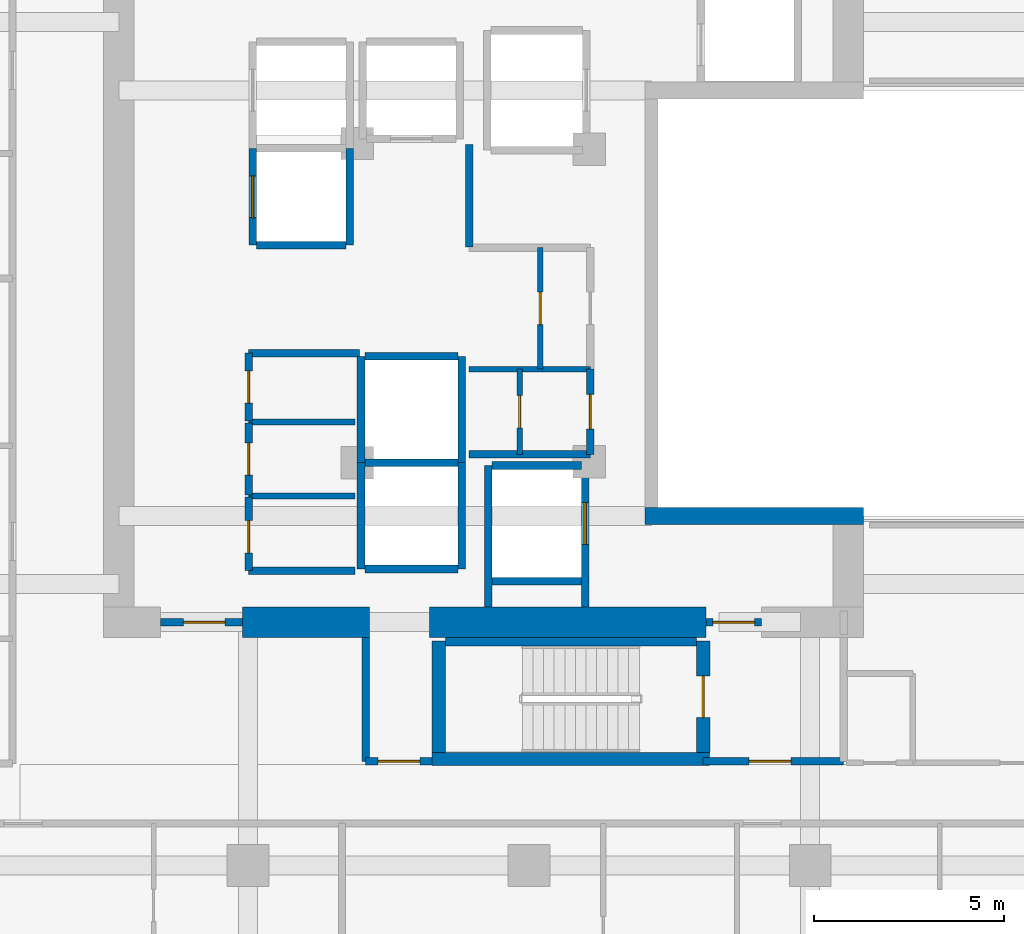
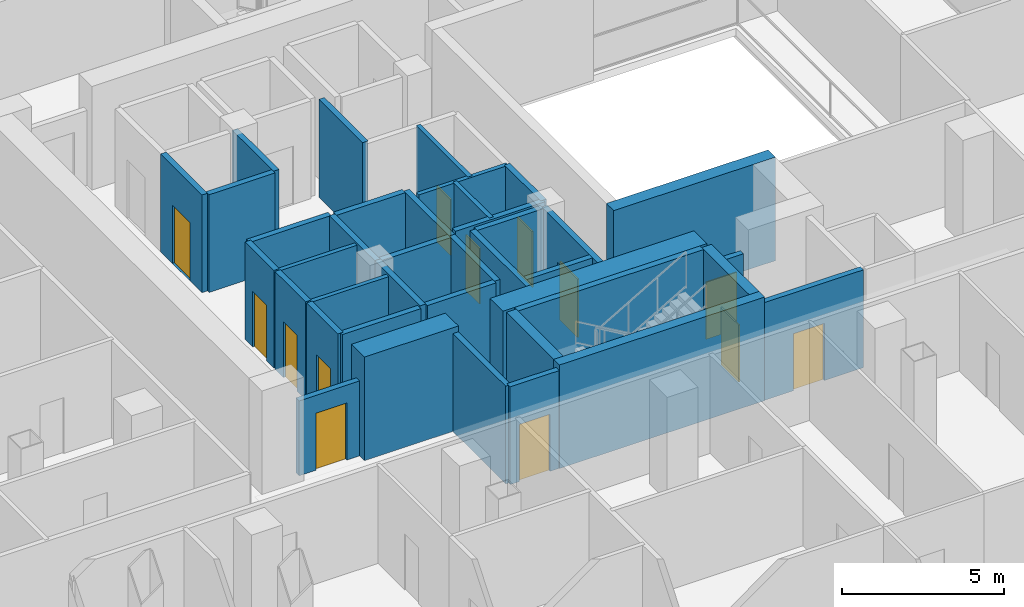
# One storey, part 18 of 24: 39 walls, 13 doors, 13 openings.
"""IFC4 building model written with IfcOpenShell, lengths in metres."""

from ifc_helpers import new_model, si_unit, direction, frame, frame_2d, origin, place, context, subcontext, project, spatial, rectangle, extrude, material, layer, layer_set, type_object, element, fill, save


model = new_model("IFC4")

# Units and contexts
model_context = context("Model", 3, precision=1e-05, world=origin(), true_north=direction((0.0, 1.0)))
body_context = subcontext(model_context, "Body", "Model", "MODEL_VIEW")
ifc_project = project(units=[si_unit("LENGTHUNIT", "METRE"), si_unit("AREAUNIT", "SQUARE_METRE"), si_unit("VOLUMEUNIT", "CUBIC_METRE"), si_unit("PLANEANGLEUNIT", "RADIAN"), si_unit("MASSUNIT", "GRAM", prefix="KILO")], contexts=[model_context])

# Site, building, storey
site_placement = place(None, origin())
site = spatial("IfcSite", under=ifc_project, at=site_placement, CompositionType="ELEMENT")
building_placement = place(site_placement, origin())
building = spatial("IfcBuilding", under=site, at=building_placement, Name="Khorvyn Point Tower", CompositionType="ELEMENT")
storey_placement = place(building_placement, frame((0.0, 0.0, 191.39990234375)))
storey = spatial("IfcBuildingStorey", under=building, at=storey_placement, Name="L47", CompositionType="ELEMENT", Elevation=191.39990234375)

# Wall
ifc_material_1 = material(Name="Concrete C40/50", Category="concrete")
ifc_layer_1 = layer(ifc_material_1, 0.449951171875)
ifc_layer_set_1 = layer_set([ifc_layer_1], Name="Concrete C40/50 Core Shear Wall 450")
wall_type_1 = type_object("IfcWallType", Name="Concrete C40/50 Core Shear Wall 450", PredefinedType="SHEAR", material=ifc_layer_set_1)
wall_1_placement = place(storey_placement, frame((3.044921875, -5.60009765625, 0.0), z_axis=(0.0, 0.0, 1.0), x_axis=(1.0, 0.0, 0.0)))
element("IfcWall", 1, at=wall_1_placement, inside=storey, type_object=wall_type_1, Name="Wall", PredefinedType="SHEAR", context=body_context, shape_type="SweptSolid", body=[
    extrude(rectangle(XDim=5.755126953125, YDim=0.449951171875, at=frame_2d((2.87744140625, 0.0))), origin(), (0.0, 0.0, 1.0), 3.900146484375),
])

# Wall, opening, door
ifc_layer_2 = layer(ifc_material_1, 0.199951171875)
ifc_layer_set_2 = layer_set([ifc_layer_2], Name="Concrete C40/50 Fire-Lobby Compartment Wall 200")
wall_type_2 = type_object("IfcWallType", Name="Concrete C40/50 Fire-Lobby Compartment Wall 200", PredefinedType="SOLIDWALL", material=ifc_layer_set_2)
wall_2_placement = place(storey_placement, frame((4.580078125, -12.06005859375, 0.0), z_axis=(0.0, 0.0, 1.0), x_axis=(1.0, 0.0, 0.0)))
wall_2 = element("IfcWall", 2, at=wall_2_placement, inside=storey, type_object=wall_type_2, Name="Wall", PredefinedType="SOLIDWALL", context=body_context, shape_type="SweptSolid", body=[
    extrude(rectangle(XDim=3.699951171875, YDim=0.199951171875, at=frame_2d((1.85009765625, 0.0))), origin(), (0.0, 0.0, 1.0), 3.68017578125),
])
opening_1_placement = place(wall_2_placement, frame((1.21240234375, 0.0, 0.0)))
opening_1 = element("IfcOpeningElement", 3, at=opening_1_placement, cuts=wall_2, Name="Opening ID-FL90", PredefinedType="OPENING", context=body_context, shape_type="SweptSolid", body=[
    extrude(rectangle(XDim=1.10009765625, YDim=2.14990234375, at=frame_2d((0.550048828125, 1.074951171875))), frame((0.0, 0.10986328125, 0.0), z_axis=(0.0, -1.0, 0.0), x_axis=(1.0, 0.0, 0.0)), (0.0, 0.0, 1.0), 0.219970703125),
])
ifc_material_2 = material(Name="Galvanised powder-coated steel", Category="steel")
door_type_1 = type_object("IfcDoorType", Name="Fire-Rated Steel Lobby and Stair Door 1100x2150", OperationType="NOTDEFINED", PredefinedType="DOOR", material=ifc_material_2)
door_1_placement = place(opening_1_placement, origin())
door_1 = element("IfcDoor", 4, at=door_1_placement, inside=storey, type_object=door_type_1, Name="Door", OperationType="SINGLE_SWING_LEFT", OverallHeight=2.14990234375, OverallWidth=1.10009765625, PredefinedType="DOOR", context=body_context, shape_type="SweptSolid", body=[
    extrude(rectangle(XDim=1.10009765625, YDim=2.14990234375, at=frame_2d((0.550048828125, 1.074951171875))), frame((0.0, 0.02490234375, 0.0), z_axis=(0.0, -1.0, 0.0), x_axis=(1.0, 0.0, 0.0)), (0.0, 0.0, 1.0), 0.050048828125),
])
fill(opening_1, door_1)

wall_3_placement = place(storey_placement, frame((4.64990234375, -8.39990234375, 0.0), z_axis=(0.0, 0.0, 1.0), x_axis=(1.0, 0.0, 0.0)))
wall_3 = element("IfcWall", 5, at=wall_3_placement, inside=storey, type_object=wall_type_2, Name="Wall", PredefinedType="SOLIDWALL", context=body_context, shape_type="SweptSolid", body=[
    extrude(rectangle(XDim=1.47021484375, YDim=0.199951171875, at=frame_2d((0.735107421875, 0.0))), origin(), (0.0, 0.0, 1.0), 2.820068359375),
])
opening_2_placement = place(wall_3_placement, frame((0.18505859375, 0.0, 0.0)))
opening_2 = element("IfcOpeningElement", 6, at=opening_2_placement, cuts=wall_3, Name="Opening ID-FL90", PredefinedType="OPENING", context=body_context, shape_type="SweptSolid", body=[
    extrude(rectangle(XDim=1.10009765625, YDim=2.14990234375, at=frame_2d((0.550048828125, 1.074951171875))), frame((0.0, 0.10986328125, 0.0), z_axis=(0.0, -1.0, 0.0), x_axis=(1.0, 0.0, 0.0)), (0.0, 0.0, 1.0), 0.219970703125),
])
door_2_placement = place(opening_2_placement, origin())
door_2 = element("IfcDoor", 7, at=door_2_placement, inside=storey, type_object=door_type_1, Name="Door", OperationType="SINGLE_SWING_RIGHT", OverallHeight=2.14990234375, OverallWidth=1.10009765625, PredefinedType="DOOR", context=body_context, shape_type="SweptSolid", body=[
    extrude(rectangle(XDim=1.10009765625, YDim=2.14990234375, at=frame_2d((0.550048828125, 1.074951171875))), frame((0.0, 0.02490234375, 0.0), z_axis=(0.0, -1.0, 0.0), x_axis=(1.0, 0.0, 0.0)), (0.0, 0.0, 1.0), 0.050048828125),
])
fill(opening_2, door_2)

wall_4_placement = place(storey_placement, frame((-9.699951171875, -8.39990234375, 0.0), z_axis=(0.0, 0.0, 1.0), x_axis=(1.0, 0.0, 0.0)))
wall_4 = element("IfcWall", 8, at=wall_4_placement, inside=storey, type_object=wall_type_2, Name="Wall", PredefinedType="SOLIDWALL", context=body_context, shape_type="SweptSolid", body=[
    extrude(rectangle(XDim=2.14990234375, YDim=0.199951171875, at=frame_2d((1.074951171875, 0.0))), origin(), (0.0, 0.0, 1.0), 2.820068359375),
])
opening_3_placement = place(wall_4_placement, frame((0.597900390625, 0.0, 0.0)))
opening_3 = element("IfcOpeningElement", 9, at=opening_3_placement, cuts=wall_4, Name="Opening ID-FL90", PredefinedType="OPENING", context=body_context, shape_type="SweptSolid", body=[
    extrude(rectangle(XDim=1.10009765625, YDim=2.14990234375, at=frame_2d((0.550048828125, 1.074951171875))), frame((0.0, 0.10986328125, 0.0), z_axis=(0.0, -1.0, 0.0), x_axis=(1.0, 0.0, 0.0)), (0.0, 0.0, 1.0), 0.219970703125),
])
door_3_placement = place(opening_3_placement, origin())
door_3 = element("IfcDoor", 10, at=door_3_placement, inside=storey, type_object=door_type_1, Name="Door", OperationType="SINGLE_SWING_RIGHT", OverallHeight=2.14990234375, OverallWidth=1.10009765625, PredefinedType="DOOR", context=body_context, shape_type="SweptSolid", body=[
    extrude(rectangle(XDim=1.10009765625, YDim=2.14990234375, at=frame_2d((0.550048828125, 1.074951171875))), frame((0.0, 0.02490234375, 0.0), z_axis=(0.0, -1.0, 0.0), x_axis=(1.0, 0.0, 0.0)), (0.0, 0.0, 1.0), 0.050048828125),
])
fill(opening_3, door_3)

wall_5_placement = place(storey_placement, frame((-4.300048828125, -12.06005859375, 0.0), z_axis=(0.0, 0.0, 1.0), x_axis=(1.0, 0.0, 0.0)))
wall_5 = element("IfcWall", 11, at=wall_5_placement, inside=storey, type_object=wall_type_2, Name="Wall", PredefinedType="SOLIDWALL", context=body_context, shape_type="SweptSolid", body=[
    extrude(rectangle(XDim=1.75, YDim=0.199951171875, at=frame_2d((0.875, 0.0))), origin(), (0.0, 0.0, 1.0), 3.68017578125),
])
opening_4_placement = place(wall_5_placement, frame((0.324951171875, 0.0, 0.0)))
opening_4 = element("IfcOpeningElement", 12, at=opening_4_placement, cuts=wall_5, Name="Opening ID-FL90", PredefinedType="OPENING", context=body_context, shape_type="SweptSolid", body=[
    extrude(rectangle(XDim=1.10009765625, YDim=2.14990234375, at=frame_2d((0.550048828125, 1.074951171875))), frame((0.0, 0.10986328125, 0.0), z_axis=(0.0, -1.0, 0.0), x_axis=(1.0, 0.0, 0.0)), (0.0, 0.0, 1.0), 0.219970703125),
])
door_4_placement = place(opening_4_placement, origin())
door_4 = element("IfcDoor", 13, at=door_4_placement, inside=storey, type_object=door_type_1, Name="Door", OperationType="SINGLE_SWING_RIGHT", OverallHeight=2.14990234375, OverallWidth=1.10009765625, PredefinedType="DOOR", context=body_context, shape_type="SweptSolid", body=[
    extrude(rectangle(XDim=1.10009765625, YDim=2.14990234375, at=frame_2d((0.550048828125, 1.074951171875))), frame((0.0, 0.02490234375, 0.0), z_axis=(0.0, -1.0, 0.0), x_axis=(1.0, 0.0, 0.0)), (0.0, 0.0, 1.0), 0.050048828125),
])
fill(opening_4, door_4)

wall_6_placement = place(storey_placement, frame((1.610107421875, -3.97998046875, 0.0), z_axis=(0.0, 0.0, 1.0), x_axis=(0.0, 1.0, 0.0)))
wall_6 = element("IfcWall", 14, at=wall_6_placement, inside=storey, type_object=wall_type_2, Name="Wall", PredefinedType="SOLIDWALL", context=body_context, shape_type="SweptSolid", body=[
    extrude(rectangle(XDim=2.240966796875, YDim=0.199951171875, at=frame_2d((1.12060546875, 0.0))), origin(), (0.0, 0.0, 1.0), 3.68017578125),
])
opening_5_placement = place(wall_6_placement, frame((0.660400390625, 0.0, 0.0)))
opening_5 = element("IfcOpeningElement", 15, at=opening_5_placement, cuts=wall_6, Name="Opening ID-RS60", PredefinedType="OPENING", context=body_context, shape_type="SweptSolid", body=[
    extrude(rectangle(XDim=0.919921875, YDim=2.10009765625, at=frame_2d((0.4599609375, 1.050048828125))), frame((0.0, 0.10986328125, 0.0), z_axis=(0.0, -1.0, 0.0), x_axis=(1.0, 0.0, 0.0)), (0.0, 0.0, 1.0), 0.219970703125),
])
door_type_2 = type_object("IfcDoorType", Name="Fire-Rated Riser and Store Steel Door 920x2100", OperationType="NOTDEFINED", PredefinedType="DOOR", material=ifc_material_2)
door_5_placement = place(opening_5_placement, origin())
door_5 = element("IfcDoor", 16, at=door_5_placement, inside=storey, type_object=door_type_2, Name="Door", OperationType="SINGLE_SWING_LEFT", OverallHeight=2.10009765625, OverallWidth=0.919921875, PredefinedType="DOOR", context=body_context, shape_type="SweptSolid", body=[
    extrude(rectangle(XDim=0.919921875, YDim=2.10009765625, at=frame_2d((0.4599609375, 1.050048828125))), frame((0.0, 0.02490234375, 0.0), z_axis=(0.0, -1.0, 0.0), x_axis=(1.0, 0.0, 0.0)), (0.0, 0.0, 1.0), 0.050048828125),
])
fill(opening_5, door_5)

wall_7_placement = place(storey_placement, frame((-7.3798828125, -7.0400390625, 0.0), z_axis=(0.0, 0.0, 1.0), x_axis=(0.0, 1.0, 0.0)))
wall_7 = element("IfcWall", 17, at=wall_7_placement, inside=storey, type_object=wall_type_2, Name="Wall", PredefinedType="SOLIDWALL", context=body_context, shape_type="SweptSolid", body=[
    extrude(rectangle(XDim=1.929931640625, YDim=0.199951171875, at=frame_2d((0.96484375, 0.0))), origin(), (0.0, 0.0, 1.0), 3.68017578125),
])
opening_6_placement = place(wall_7_placement, frame((0.464111328125, 0.0, 0.0)))
opening_6 = element("IfcOpeningElement", 18, at=opening_6_placement, cuts=wall_7, Name="Opening ID-WC85", PredefinedType="OPENING", context=body_context, shape_type="SweptSolid", body=[
    extrude(rectangle(XDim=0.85009765625, YDim=2.10009765625, at=frame_2d((0.425048828125, 1.050048828125))), frame((0.0, 0.10986328125, 0.0), z_axis=(0.0, -1.0, 0.0), x_axis=(1.0, 0.0, 0.0)), (0.0, 0.0, 1.0), 0.219970703125),
])
ifc_material_3 = material(Name="High-pressure laminate on moisture-resistant core", Category="wood")
door_type_3 = type_object("IfcDoorType", Name="Moisture-Resistant Accessible Washroom Door 850x2100", OperationType="NOTDEFINED", PredefinedType="DOOR", material=ifc_material_3)
door_6_placement = place(opening_6_placement, origin())
door_6 = element("IfcDoor", 19, at=door_6_placement, inside=storey, type_object=door_type_3, Name="Door", OperationType="SINGLE_SWING_LEFT", OverallHeight=2.10009765625, OverallWidth=0.85009765625, PredefinedType="DOOR", context=body_context, shape_type="SweptSolid", body=[
    extrude(rectangle(XDim=0.85009765625, YDim=2.10009765625, at=frame_2d((0.425048828125, 1.050048828125))), frame((0.0, 0.02490234375, 0.0), z_axis=(0.0, -1.0, 0.0), x_axis=(1.0, 0.0, 0.0)), (0.0, 0.0, 1.0), 0.050048828125),
])
fill(opening_6, door_6)

wall_8_placement = place(storey_placement, frame((-7.3798828125, -5.050048828125, 0.0), z_axis=(0.0, 0.0, 1.0), x_axis=(0.0, 1.0, 0.0)))
wall_8 = element("IfcWall", 20, at=wall_8_placement, inside=storey, type_object=wall_type_2, Name="Wall", PredefinedType="SOLIDWALL", context=body_context, shape_type="SweptSolid", body=[
    extrude(rectangle(XDim=1.89013671875, YDim=0.199951171875, at=frame_2d((0.945068359375, 0.0))), origin(), (0.0, 0.0, 1.0), 3.68017578125),
])
opening_7_placement = place(wall_8_placement, frame((0.52001953125, 0.0, 0.0)))
opening_7 = element("IfcOpeningElement", 21, at=opening_7_placement, cuts=wall_8, Name="Opening ID-WC85", PredefinedType="OPENING", context=body_context, shape_type="SweptSolid", body=[
    extrude(rectangle(XDim=0.85009765625, YDim=2.10009765625, at=frame_2d((0.425048828125, 1.050048828125))), frame((0.0, 0.10986328125, 0.0), z_axis=(0.0, -1.0, 0.0), x_axis=(1.0, 0.0, 0.0)), (0.0, 0.0, 1.0), 0.219970703125),
])
door_7_placement = place(opening_7_placement, origin())
door_7 = element("IfcDoor", 22, at=door_7_placement, inside=storey, type_object=door_type_3, Name="Door", OperationType="SINGLE_SWING_RIGHT", OverallHeight=2.10009765625, OverallWidth=0.85009765625, PredefinedType="DOOR", context=body_context, shape_type="SweptSolid", body=[
    extrude(rectangle(XDim=0.85009765625, YDim=2.10009765625, at=frame_2d((0.425048828125, 1.050048828125))), frame((0.0, 0.02490234375, 0.0), z_axis=(0.0, -1.0, 0.0), x_axis=(1.0, 0.0, 0.0)), (0.0, 0.0, 1.0), 0.050048828125),
])
fill(opening_7, door_7)

wall_9_placement = place(storey_placement, frame((-7.3798828125, -3.10009765625, 0.0), z_axis=(0.0, 0.0, 1.0), x_axis=(0.0, 1.0, 0.0)))
wall_9 = element("IfcWall", 23, at=wall_9_placement, inside=storey, type_object=wall_type_2, Name="Wall", PredefinedType="SOLIDWALL", context=body_context, shape_type="SweptSolid", body=[
    extrude(rectangle(XDim=1.780029296875, YDim=0.199951171875, at=frame_2d((0.89013671875, 0.0))), origin(), (0.0, 0.0, 1.0), 3.68017578125),
])
opening_8_placement = place(wall_9_placement, frame((0.465087890625, 0.0, 0.0)))
opening_8 = element("IfcOpeningElement", 24, at=opening_8_placement, cuts=wall_9, Name="Opening ID-WC85", PredefinedType="OPENING", context=body_context, shape_type="SweptSolid", body=[
    extrude(rectangle(XDim=0.85009765625, YDim=2.10009765625, at=frame_2d((0.425048828125, 1.050048828125))), frame((0.0, 0.10986328125, 0.0), z_axis=(0.0, -1.0, 0.0), x_axis=(1.0, 0.0, 0.0)), (0.0, 0.0, 1.0), 0.219970703125),
])
door_8_placement = place(opening_8_placement, origin())
door_8 = element("IfcDoor", 25, at=door_8_placement, inside=storey, type_object=door_type_3, Name="Door", OperationType="SINGLE_SWING_LEFT", OverallHeight=2.10009765625, OverallWidth=0.85009765625, PredefinedType="DOOR", context=body_context, shape_type="SweptSolid", body=[
    extrude(rectangle(XDim=0.85009765625, YDim=2.10009765625, at=frame_2d((0.425048828125, 1.050048828125))), frame((0.0, 0.02490234375, 0.0), z_axis=(0.0, -1.0, 0.0), x_axis=(1.0, 0.0, 0.0)), (0.0, 0.0, 1.0), 0.050048828125),
])
fill(opening_8, door_8)

# Walls
wall_10_placement = place(storey_placement, frame((-4.300048828125, -12.06005859375, 0.0), z_axis=(0.0, 0.0, 1.0), x_axis=(0.0, 1.0, 0.0)))
element("IfcWall", 26, at=wall_10_placement, inside=storey, type_object=wall_type_2, Name="Wall", PredefinedType="SOLIDWALL", context=body_context, shape_type="SweptSolid", body=[
    extrude(rectangle(XDim=3.260009765625, YDim=0.199951171875, at=frame_2d((1.6298828125, 0.0))), origin(), (0.0, 0.0, 1.0), 3.68017578125),
])
wall_11_placement = place(storey_placement, frame((-7.3798828125, -1.320068359375, 0.0), z_axis=(0.0, 0.0, 1.0), x_axis=(1.0, 0.0, 0.0)))
element("IfcWall", 27, at=wall_11_placement, inside=storey, type_object=wall_type_2, Name="Wall", PredefinedType="SOLIDWALL", context=body_context, shape_type="SweptSolid", body=[
    extrude(rectangle(XDim=2.909912109375, YDim=0.199951171875, at=frame_2d((1.455078125, 0.0))), origin(), (0.0, 0.0, 1.0), 3.68017578125),
])
wall_12_placement = place(storey_placement, frame((-1.580078125, 1.47998046875, 0.0), z_axis=(0.0, 0.0, 1.0), x_axis=(0.0, 1.0, 0.0)))
element("IfcWall", 28, at=wall_12_placement, inside=storey, type_object=wall_type_2, Name="Wall", PredefinedType="SOLIDWALL", context=body_context, shape_type="SweptSolid", body=[
    extrude(rectangle(XDim=2.699951171875, YDim=0.199951171875, at=frame_2d((1.35009765625, 0.0))), origin(), (0.0, 0.0, 1.0), 3.68017578125),
])
wall_13_placement = place(storey_placement, frame((-1.580078125, -3.97998046875, 0.0), z_axis=(0.0, 0.0, 1.0), x_axis=(1.0, 0.0, 0.0)))
element("IfcWall", 29, at=wall_13_placement, inside=storey, type_object=wall_type_2, Name="Wall", PredefinedType="SOLIDWALL", context=body_context, shape_type="SweptSolid", body=[
    extrude(rectangle(XDim=3.190185546875, YDim=0.199951171875, at=frame_2d((1.59521484375, 0.0))), origin(), (0.0, 0.0, 1.0), 3.68017578125),
])
wall_14_placement = place(storey_placement, frame((-7.3798828125, -7.0400390625, 0.0), z_axis=(0.0, 0.0, 1.0), x_axis=(1.0, 0.0, 0.0)))
element("IfcWall", 30, at=wall_14_placement, inside=storey, type_object=wall_type_2, Name="Wall", PredefinedType="SOLIDWALL", context=body_context, shape_type="SweptSolid", body=[
    extrude(rectangle(XDim=2.7998046875, YDim=0.199951171875, at=frame_2d((1.39990234375, 0.0))), origin(), (0.0, 0.0, 1.0), 3.68017578125),
])
ifc_layer_3 = layer(ifc_material_1, 0.25)
ifc_layer_set_3 = layer_set([ifc_layer_3], Name="Concrete C40/50 Stair Inner Cheek Structural Wall 250")
wall_type_3 = type_object("IfcWallType", Name="Concrete C40/50 Stair Inner Cheek Structural Wall 250", PredefinedType="SHEAR", material=ifc_layer_set_3)
wall_15_placement = place(storey_placement, frame((-2.199951171875, -8.91259765625, 0.0), z_axis=(0.0, 0.0, 1.0), x_axis=(1.0, 0.0, 0.0)))
element("IfcWall", 31, at=wall_15_placement, inside=storey, type_object=wall_type_3, Name="Wall", PredefinedType="SHEAR", context=body_context, shape_type="SweptSolid", body=[
    extrude(rectangle(XDim=6.599853515625, YDim=0.22509765625, at=frame_2d((3.2998046875, 0.0))), origin(), (0.0, 0.0, 1.0), 3.900146484375),
])
ifc_layer_4 = layer(ifc_material_1, 0.35009765625)
ifc_layer_set_4 = layer_set([ifc_layer_4], Name="Concrete C40/50 Stair Shaft Structural Wall 350")
wall_type_4 = type_object("IfcWallType", Name="Concrete C40/50 Stair Shaft Structural Wall 350", PredefinedType="SHEAR", material=ifc_layer_set_4)
wall_16_placement = place(storey_placement, frame((-2.554931640625, -12.0, 0.0), z_axis=(0.0, 0.0, 1.0), x_axis=(1.0, 0.0, 0.0)))
element("IfcWall", 32, at=wall_16_placement, inside=storey, type_object=wall_type_4, Name="L47 ST-01 South Shaft Wall", PredefinedType="SHEAR", context=body_context, shape_type="SweptSolid", body=[
    extrude(rectangle(XDim=7.309814453125, YDim=0.35009765625, at=frame_2d((3.65478515625, 0.0))), origin(), (0.0, 0.0, 1.0), 3.900146484375),
])
wall_17_placement = place(storey_placement, frame((-2.3798828125, -11.824951171875, 0.0), z_axis=(0.0, 0.0, 1.0), x_axis=(0.0, 1.0, 0.0)))
element("IfcWall", 33, at=wall_17_placement, inside=storey, type_object=wall_type_4, Name="L47 ST-01 West Shaft Wall", PredefinedType="SHEAR", context=body_context, shape_type="SweptSolid", body=[
    extrude(rectangle(XDim=2.925048828125, YDim=0.35009765625, at=frame_2d((1.46240234375, 0.0))), origin(), (0.0, 0.0, 1.0), 3.900146484375),
])

# Wall, opening, door
wall_18_placement = place(storey_placement, frame((4.580078125, -8.89990234375, 0.0), z_axis=(0.0, 0.0, 1.0), x_axis=(0.0, -1.0, 0.0)))
wall_18 = element("IfcWall", 34, at=wall_18_placement, inside=storey, type_object=wall_type_4, Name="L47 ST-01 East Landing Door Wall", PredefinedType="SHEAR", context=body_context, shape_type="SweptSolid", body=[
    extrude(rectangle(XDim=2.925048828125, YDim=0.35009765625, at=frame_2d((1.46240234375, 0.0))), origin(), (0.0, 0.0, 1.0), 3.900146484375),
])
opening_9_placement = place(wall_18_placement, frame((0.91259765625, 0.0, 0.0)))
opening_9 = element("IfcOpeningElement", 35, at=opening_9_placement, cuts=wall_18, Name="Opening ID-FL90", PredefinedType="OPENING", context=body_context, shape_type="SweptSolid", body=[
    extrude(rectangle(XDim=1.10009765625, YDim=2.14990234375, at=frame_2d((0.550048828125, 1.074951171875))), frame((0.0, 0.18505859375, 0.0), z_axis=(0.0, -1.0, 0.0), x_axis=(1.0, 0.0, 0.0)), (0.0, 0.0, 1.0), 0.3701171875),
])
door_9_placement = place(opening_9_placement, origin())
door_9 = element("IfcDoor", 36, at=door_9_placement, inside=storey, type_object=door_type_1, Name="L47 ST-01 Smokeproof Landing Door", OperationType="SINGLE_SWING_LEFT", OverallHeight=2.14990234375, OverallWidth=1.10009765625, PredefinedType="DOOR", context=body_context, shape_type="SweptSolid", body=[
    extrude(rectangle(XDim=1.10009765625, YDim=2.14990234375, at=frame_2d((0.550048828125, 1.074951171875))), frame((0.0, 0.02490234375, 0.0), z_axis=(0.0, -1.0, 0.0), x_axis=(1.0, 0.0, 0.0)), (0.0, 0.0, 1.0), 0.050048828125),
])
fill(opening_9, door_9)

ifc_layer_5 = layer(ifc_material_1, 0.199951171875)
ifc_layer_set_5 = layer_set([ifc_layer_5], Name="Concrete C40/50 Structural Hoistway and Stair Shaft Wall 200")
wall_type_5 = type_object("IfcWallType", Name="Concrete C40/50 Structural Hoistway and Stair Shaft Wall 200", PredefinedType="SHEAR", material=ifc_layer_set_5)
wall_19_placement = place(storey_placement, frame((-7.27490234375, 1.52490234375, 0.0), z_axis=(0.0, 0.0, 1.0), x_axis=(0.0, 1.0, 0.0)))
wall_19 = element("IfcWall", 37, at=wall_19_placement, inside=storey, type_object=wall_type_5, Name="Wall", PredefinedType="SHEAR", context=body_context, shape_type="SweptSolid", body=[
    extrude(rectangle(XDim=2.550048828125, YDim=0.199951171875, at=frame_2d((1.27490234375, 0.0))), origin(), (0.0, 0.0, 1.0), 3.68017578125),
])
opening_10_placement = place(wall_19_placement, frame((0.72509765625, 0.0, 0.0)))
opening_10 = element("IfcOpeningElement", 38, at=opening_10_placement, cuts=wall_19, Name="Opening LD-1122", PredefinedType="OPENING", context=body_context, shape_type="SweptSolid", body=[
    extrude(rectangle(XDim=1.10009765625, YDim=2.199951171875, at=frame_2d((0.550048828125, 1.10009765625))), frame((0.0, 0.10986328125, 0.0), z_axis=(0.0, -1.0, 0.0), x_axis=(1.0, 0.0, 0.0)), (0.0, 0.0, 1.0), 0.219970703125),
])
ifc_material_4 = material(Name="Stainless steel 1.4301", Category="steel")
door_type_4 = type_object("IfcDoorType", Name="Stainless Steel Automatic Sliding Lift Landing Door 1100x2200", OperationType="SLIDING_TO_LEFT", PredefinedType="DOOR", material=ifc_material_4)
door_10_placement = place(opening_10_placement, origin())
door_10 = element("IfcDoor", 39, at=door_10_placement, inside=storey, type_object=door_type_4, Name="L47 RM-01 Sliding Lift Landing Door", OperationType="SLIDING_TO_LEFT", OverallHeight=2.199951171875, OverallWidth=1.10009765625, PredefinedType="DOOR", context=body_context, shape_type="SweptSolid", body=[
    extrude(rectangle(XDim=1.10009765625, YDim=2.199951171875, at=frame_2d((0.550048828125, 1.10009765625))), frame((0.0, 0.02490234375, 0.0), z_axis=(0.0, -1.0, 0.0), x_axis=(1.0, 0.0, 0.0)), (0.0, 0.0, 1.0), 0.050048828125),
])
fill(opening_10, door_10)

# Walls
wall_20_placement = place(storey_placement, frame((-4.72509765625, 1.52490234375, 0.0), z_axis=(0.0, 0.0, 1.0), x_axis=(0.0, 1.0, 0.0)))
element("IfcWall", 40, at=wall_20_placement, inside=storey, type_object=wall_type_5, Name="Wall", PredefinedType="SHEAR", context=body_context, shape_type="SweptSolid", body=[
    extrude(rectangle(XDim=2.550048828125, YDim=0.199951171875, at=frame_2d((1.27490234375, 0.0))), origin(), (0.0, 0.0, 1.0), 3.68017578125),
])
wall_21_placement = place(storey_placement, frame((-7.175048828125, 1.52490234375, 0.0), z_axis=(0.0, 0.0, 1.0), x_axis=(1.0, 0.0, 0.0)))
element("IfcWall", 41, at=wall_21_placement, inside=storey, type_object=wall_type_5, Name="Wall", PredefinedType="SHEAR", context=body_context, shape_type="SweptSolid", body=[
    extrude(rectangle(XDim=2.35009765625, YDim=0.199951171875, at=frame_2d((1.175048828125, 0.0))), origin(), (0.0, 0.0, 1.0), 3.68017578125),
])
for number, where, z_axis, x_axis, name in (
    (42, (-4.425048828125, -7.0, 0.0), (0.0, 0.0, 1.0), (0.0, 1.0, 0.0), "Wall"),
    (43, (-1.77490234375, -7.0, 0.0), (0.0, 0.0, 1.0), (0.0, 1.0, 0.0), "Wall"),
):
    element("IfcWall", number, at=place(storey_placement, frame(where, z_axis=z_axis, x_axis=x_axis)), inside=storey, type_object=wall_type_5, Name=name, PredefinedType="SHEAR", context=body_context, shape_type="SweptSolid", body=[
        extrude(rectangle(XDim=2.800048828125, YDim=0.199951171875, at=frame_2d((1.39990234375, 0.0))), origin(), (0.0, 0.0, 1.0), 3.68017578125),
    ])
for number, where, z_axis, x_axis, name in (
    (44, (-4.324951171875, -7.0, 0.0), (0.0, 0.0, 1.0), (1.0, 0.0, 0.0), "Wall"),
    (45, (-4.324951171875, -4.199951171875, 0.0), (0.0, 0.0, 1.0), (1.0, 0.0, 0.0), "Wall"),
):
    element("IfcWall", number, at=place(storey_placement, frame(where, z_axis=z_axis, x_axis=x_axis)), inside=storey, type_object=wall_type_5, Name=name, PredefinedType="SHEAR", context=body_context, shape_type="SweptSolid", body=[
        extrude(rectangle(XDim=2.449951171875, YDim=0.199951171875, at=frame_2d((1.22509765625, 0.0))), origin(), (0.0, 0.0, 1.0), 3.68017578125),
    ])
for number, where, z_axis, x_axis, name in (
    (46, (-4.425048828125, -4.199951171875, 0.0), (0.0, 0.0, 1.0), (0.0, 1.0, 0.0), "Wall"),
    (47, (-1.77490234375, -4.199951171875, 0.0), (0.0, 0.0, 1.0), (0.0, 1.0, 0.0), "Wall"),
):
    element("IfcWall", number, at=place(storey_placement, frame(where, z_axis=z_axis, x_axis=x_axis)), inside=storey, type_object=wall_type_5, Name=name, PredefinedType="SHEAR", context=body_context, shape_type="SweptSolid", body=[
        extrude(rectangle(XDim=2.800048828125, YDim=0.199951171875, at=frame_2d((1.39990234375, 0.0))), origin(), (0.0, 0.0, 1.0), 3.68017578125),
    ])
wall_22_placement = place(storey_placement, frame((-4.324951171875, -1.39990234375, 0.0), z_axis=(0.0, 0.0, 1.0), x_axis=(1.0, 0.0, 0.0)))
element("IfcWall", 48, at=wall_22_placement, inside=storey, type_object=wall_type_5, Name="Wall", PredefinedType="SHEAR", context=body_context, shape_type="SweptSolid", body=[
    extrude(rectangle(XDim=2.449951171875, YDim=0.199951171875, at=frame_2d((1.22509765625, 0.0))), origin(), (0.0, 0.0, 1.0), 3.68017578125),
])
wall_23_placement = place(storey_placement, frame((-1.074951171875, -8.0, 0.0), z_axis=(0.0, 0.0, 1.0), x_axis=(0.0, 1.0, 0.0)))
element("IfcWall", 49, at=wall_23_placement, inside=storey, type_object=wall_type_5, Name="Wall", PredefinedType="SHEAR", context=body_context, shape_type="SweptSolid", body=[
    extrude(rectangle(XDim=3.72509765625, YDim=0.199951171875, at=frame_2d((1.862548828125, 0.0))), origin(), (0.0, 0.0, 1.0), 3.68017578125),
])

# Wall, opening, door
wall_24_placement = place(storey_placement, frame((1.47509765625, -8.0, 0.0), z_axis=(0.0, 0.0, 1.0), x_axis=(0.0, 1.0, 0.0)))
wall_24 = element("IfcWall", 50, at=wall_24_placement, inside=storey, type_object=wall_type_5, Name="Wall", PredefinedType="SHEAR", context=body_context, shape_type="SweptSolid", body=[
    extrude(rectangle(XDim=3.72509765625, YDim=0.199951171875, at=frame_2d((1.862548828125, 0.0))), origin(), (0.0, 0.0, 1.0), 3.68017578125),
])
opening_11_placement = place(wall_24_placement, frame((1.64990234375, 0.0, 0.0)))
opening_11 = element("IfcOpeningElement", 51, at=opening_11_placement, cuts=wall_24, Name="Opening LD-1122", PredefinedType="OPENING", context=body_context, shape_type="SweptSolid", body=[
    extrude(rectangle(XDim=1.10009765625, YDim=2.199951171875, at=frame_2d((0.550048828125, 1.10009765625))), frame((0.0, 0.10986328125, 0.0), z_axis=(0.0, -1.0, 0.0), x_axis=(1.0, 0.0, 0.0)), (0.0, 0.0, 1.0), 0.219970703125),
])
door_11_placement = place(opening_11_placement, origin())
door_11 = element("IfcDoor", 52, at=door_11_placement, inside=storey, type_object=door_type_4, Name="L47 FF-01 Sliding Lift Landing Door", OperationType="SLIDING_TO_LEFT", OverallHeight=2.199951171875, OverallWidth=1.10009765625, PredefinedType="DOOR", context=body_context, shape_type="SweptSolid", body=[
    extrude(rectangle(XDim=1.10009765625, YDim=2.199951171875, at=frame_2d((0.550048828125, 1.10009765625))), frame((0.0, 0.02490234375, 0.0), z_axis=(0.0, -1.0, 0.0), x_axis=(1.0, 0.0, 0.0)), (0.0, 0.0, 1.0), 0.050048828125),
])
fill(opening_11, door_11)

# Walls
for number, where, z_axis, x_axis, name in (
    (53, (-0.97509765625, -7.324951171875, 0.0), (0.0, 0.0, 1.0), (1.0, 0.0, 0.0), "Wall"),
    (54, (-0.97509765625, -4.27490234375, 0.0), (0.0, 0.0, 1.0), (1.0, 0.0, 0.0), "Wall"),
):
    element("IfcWall", number, at=place(storey_placement, frame(where, z_axis=z_axis, x_axis=x_axis)), inside=storey, type_object=wall_type_5, Name=name, PredefinedType="SHEAR", context=body_context, shape_type="SweptSolid", body=[
        extrude(rectangle(XDim=2.35009765625, YDim=0.199951171875, at=frame_2d((1.175048828125, 0.0))), origin(), (0.0, 0.0, 1.0), 3.68017578125),
    ])
ifc_material_5 = material(Name="Concrete C45/55", Category="concrete")
ifc_layer_6 = layer(ifc_material_5, 0.800048828125)
ifc_layer_set_6 = layer_set([ifc_layer_6], Name="Concrete C45/55 Core Shear Wall 800")
wall_type_6 = type_object("IfcWallType", Name="Concrete C45/55 Core Shear Wall 800", PredefinedType="SHEAR", material=ifc_layer_set_6)
wall_25_placement = place(storey_placement, frame((-7.550048828125, -8.39990234375, 0.0), z_axis=(0.0, 0.0, 1.0), x_axis=(1.0, 0.0, 0.0)))
element("IfcWall", 55, at=wall_25_placement, inside=storey, type_object=wall_type_6, Name="Wall", PredefinedType="SHEAR", context=body_context, shape_type="SweptSolid", body=[
    extrude(rectangle(XDim=3.35009765625, YDim=0.800048828125, at=frame_2d((1.675048828125, 0.0))), origin(), (0.0, 0.0, 1.0), 3.900146484375),
])
wall_26_placement = place(storey_placement, frame((-2.6201171875, -8.39990234375, 0.0), z_axis=(0.0, 0.0, 1.0), x_axis=(1.0, 0.0, 0.0)))
element("IfcWall", 56, at=wall_26_placement, inside=storey, type_object=wall_type_6, Name="Wall", PredefinedType="SHEAR", context=body_context, shape_type="SweptSolid", body=[
    extrude(rectangle(XDim=7.27001953125, YDim=0.800048828125, at=frame_2d((3.635009765625, 0.0))), origin(), (0.0, 0.0, 1.0), 3.900146484375),
])

# Wall, opening, door
ifc_material_6 = material(Name="Moisture-resistant gypsum and cement board", Category="gypsum")
ifc_layer_7 = layer(ifc_material_6, 0.14990234375)
ifc_layer_set_7 = layer_set([ifc_layer_7], Name="Moisture-Resistant Wet-Room Partition Wall 150")
wall_type_7 = type_object("IfcWallType", Name="Moisture-Resistant Wet-Room Partition Wall 150", PredefinedType="PARTITIONING", material=ifc_layer_set_7)
wall_27_placement = place(storey_placement, frame((-0.25, -3.97998046875, 0.0), z_axis=(0.0, 0.0, 1.0), x_axis=(0.0, 1.0, 0.0)))
wall_27 = element("IfcWall", 57, at=wall_27_placement, inside=storey, type_object=wall_type_7, Name="Wall", PredefinedType="PARTITIONING", context=body_context, shape_type="SweptSolid", body=[
    extrude(rectangle(XDim=2.240966796875, YDim=0.14990234375, at=frame_2d((1.12060546875, 0.0))), origin(), (0.0, 0.0, 1.0), 3.68017578125),
])
opening_12_placement = place(wall_27_placement, frame((0.695556640625, 0.0, 0.0)))
opening_12 = element("IfcOpeningElement", 58, at=opening_12_placement, cuts=wall_27, Name="Opening ID-WC85", PredefinedType="OPENING", context=body_context, shape_type="SweptSolid", body=[
    extrude(rectangle(XDim=0.85009765625, YDim=2.10009765625, at=frame_2d((0.425048828125, 1.050048828125))), frame((0.0, 0.0849609375, 0.0), z_axis=(0.0, -1.0, 0.0), x_axis=(1.0, 0.0, 0.0)), (0.0, 0.0, 1.0), 0.169921875),
])
door_12_placement = place(opening_12_placement, origin())
door_12 = element("IfcDoor", 59, at=door_12_placement, inside=storey, type_object=door_type_3, Name="Door", OperationType="SINGLE_SWING_LEFT", OverallHeight=2.10009765625, OverallWidth=0.85009765625, PredefinedType="DOOR", context=body_context, shape_type="SweptSolid", body=[
    extrude(rectangle(XDim=0.85009765625, YDim=2.10009765625, at=frame_2d((0.425048828125, 1.050048828125))), frame((0.0, 0.02490234375, 0.0), z_axis=(0.0, -1.0, 0.0), x_axis=(1.0, 0.0, 0.0)), (0.0, 0.0, 1.0), 0.050048828125),
])
fill(opening_12, door_12)

wall_28_placement = place(storey_placement, frame((0.2900390625, -1.739013671875, 0.0), z_axis=(0.0, 0.0, 1.0), x_axis=(0.0, 1.0, 0.0)))
wall_28 = element("IfcWall", 60, at=wall_28_placement, inside=storey, type_object=wall_type_7, Name="Wall", PredefinedType="PARTITIONING", context=body_context, shape_type="SweptSolid", body=[
    extrude(rectangle(XDim=3.198974609375, YDim=0.14990234375, at=frame_2d((1.599609375, 0.0))), origin(), (0.0, 0.0, 1.0), 3.68017578125),
])
opening_13_placement = place(wall_28_placement, frame((1.174560546875, 0.0, 0.0)))
opening_13 = element("IfcOpeningElement", 61, at=opening_13_placement, cuts=wall_28, Name="Opening ID-WC85", PredefinedType="OPENING", context=body_context, shape_type="SweptSolid", body=[
    extrude(rectangle(XDim=0.85009765625, YDim=2.10009765625, at=frame_2d((0.425048828125, 1.050048828125))), frame((0.0, 0.0849609375, 0.0), z_axis=(0.0, -1.0, 0.0), x_axis=(1.0, 0.0, 0.0)), (0.0, 0.0, 1.0), 0.169921875),
])
door_13_placement = place(opening_13_placement, origin())
door_13 = element("IfcDoor", 62, at=door_13_placement, inside=storey, type_object=door_type_3, Name="Door", OperationType="SINGLE_SWING_RIGHT", OverallHeight=2.10009765625, OverallWidth=0.85009765625, PredefinedType="DOOR", context=body_context, shape_type="SweptSolid", body=[
    extrude(rectangle(XDim=0.85009765625, YDim=2.10009765625, at=frame_2d((0.425048828125, 1.050048828125))), frame((0.0, 0.02490234375, 0.0), z_axis=(0.0, -1.0, 0.0), x_axis=(1.0, 0.0, 0.0)), (0.0, 0.0, 1.0), 0.050048828125),
])
fill(opening_13, door_13)

# Walls
wall_29_placement = place(storey_placement, frame((-1.580078125, -1.739013671875, 0.0), z_axis=(0.0, 0.0, 1.0), x_axis=(1.0, 0.0, 0.0)))
element("IfcWall", 63, at=wall_29_placement, inside=storey, type_object=wall_type_7, Name="Wall", PredefinedType="PARTITIONING", context=body_context, shape_type="SweptSolid", body=[
    extrude(rectangle(XDim=3.190185546875, YDim=0.14990234375, at=frame_2d((1.59521484375, 0.0))), origin(), (0.0, 0.0, 1.0), 3.68017578125),
])
for number, where, z_axis, x_axis, name in (
    (64, (-7.3798828125, -5.080078125, 0.0), (0.0, 0.0, 1.0), (1.0, 0.0, 0.0), "Wall"),
    (65, (-7.3798828125, -3.1298828125, 0.0), (0.0, 0.0, 1.0), (1.0, 0.0, 0.0), "Wall"),
):
    element("IfcWall", number, at=place(storey_placement, frame(where, z_axis=z_axis, x_axis=x_axis)), inside=storey, type_object=wall_type_7, Name=name, PredefinedType="PARTITIONING", context=body_context, shape_type="SweptSolid", body=[
        extrude(rectangle(XDim=2.7998046875, YDim=0.14990234375, at=frame_2d((1.39990234375, 0.0))), origin(), (0.0, 0.0, 1.0), 3.68017578125),
    ])

save(model, "model.ifc")
